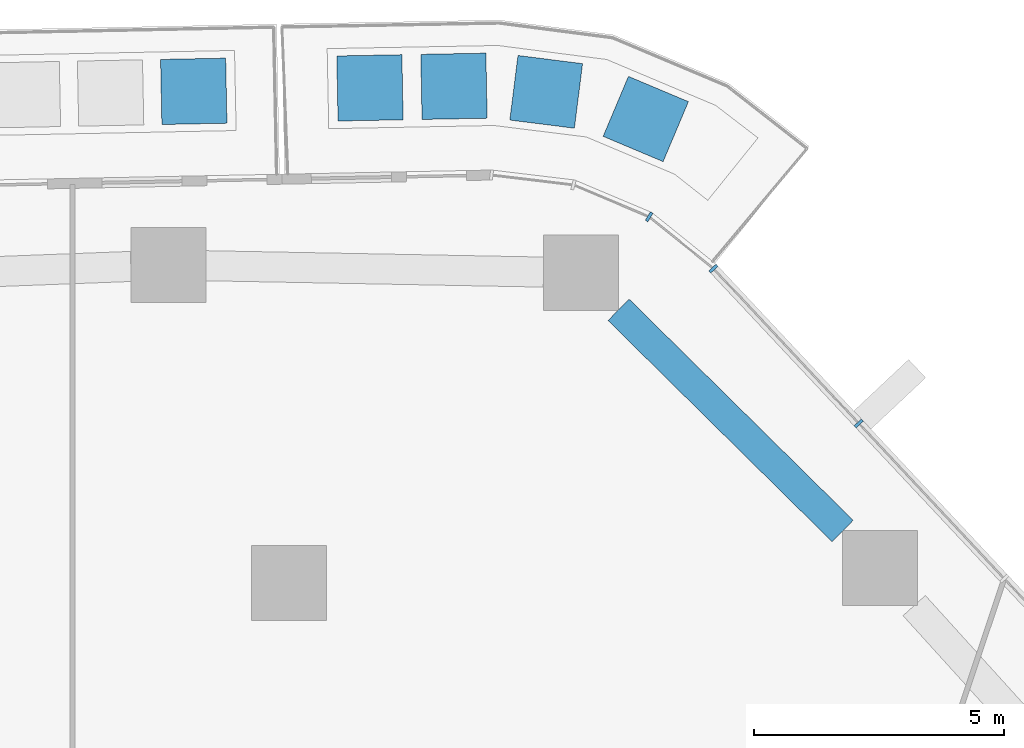
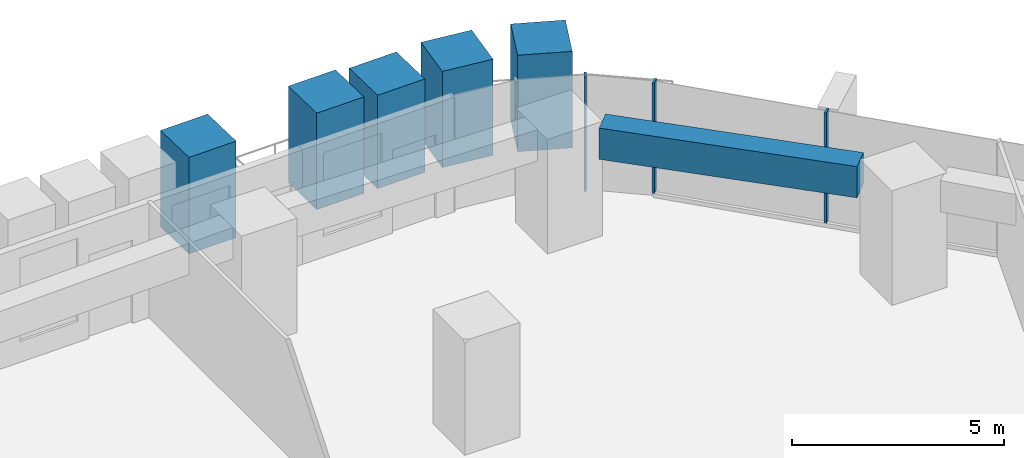
# One storey, part 9 of 24: 8 members, 1 beam, 2 elements without a shape of their own.
"""IFC4 building model written with IfcOpenShell, lengths in metres."""

from ifc_helpers import new_model, si_unit, direction, frame, origin, origin_2d, place, context, subcontext, project, spatial, rectangle, extrude, material, layer, layer_set, material_profile, profile_set, type_object, element, aggregate, save


model = new_model("IFC4")

# Units and contexts
model_context = context("Model", 3, precision=1e-05, world=origin(), true_north=direction((0.0, 1.0)))
body_context = subcontext(model_context, "Body", "Model", "MODEL_VIEW")
ifc_project = project(units=[si_unit("LENGTHUNIT", "METRE"), si_unit("AREAUNIT", "SQUARE_METRE"), si_unit("VOLUMEUNIT", "CUBIC_METRE"), si_unit("PLANEANGLEUNIT", "RADIAN"), si_unit("MASSUNIT", "GRAM", prefix="KILO")], contexts=[model_context])

# Site, building, storey
site_placement = place(None, origin())
site = spatial("IfcSite", under=ifc_project, at=site_placement, CompositionType="ELEMENT")
building_placement = place(site_placement, origin())
building = spatial("IfcBuilding", under=site, at=building_placement, Name="Dongbaek Canopy Tower", CompositionType="ELEMENT")
storey_placement = place(building_placement, frame((0.0, 0.0, 47.699951171875)))
storey = spatial("IfcBuildingStorey", under=building, at=storey_placement, Name="L07", CompositionType="ELEMENT", Elevation=47.699951171875)

# Curtain wall, members
ifc_material_1 = material(Name="Aluminium 6063-T6 pale anodised", Category="aluminium")
ifc_layer = layer(ifc_material_1, 0.199951171875)
ifc_layer_set = layer_set([ifc_layer], Name="CW-1 unitised tower curtain wall")
curtain_wall_type = type_object("IfcCurtainWallType", Name="CW-1 unitised tower curtain wall", PredefinedType="NOTDEFINED", material=ifc_layer_set)
curtain_wall_1_placement = place(storey_placement, origin())
curtain_wall_1 = element("IfcCurtainWall", 1, at=curtain_wall_1_placement, inside=storey, type_object=curtain_wall_type, Name="CW-1 curtain wall F0.1", PredefinedType="NOTDEFINED")
ifc_material_2 = material(Name="Aluminium 6063-T6 pale anodised", Category="aluminium")
ifc_material_profile_1 = material_profile(ifc_material_2, rectangle(XDim=0.199951171875, YDim=0.06005859375, at=origin_2d()), Name="CW-1 mullion 60 x 200")
ifc_profile_set_1 = profile_set([ifc_material_profile_1], Name="Aluminium 6063-T6 pale anodised")
member_type_1 = type_object("IfcMemberType", Name="CW-1 mullion 60 x 200", PredefinedType="MULLION", material=ifc_profile_set_1)
member_1_placement = place(storey_placement, frame((20.376708984375, 30.1845703125, 0.1201171875), z_axis=(0.0, 0.0, 1.0), x_axis=(0.729369243815, 0.684120242484, 0.0)))
member_1 = element("IfcMember", 2, at=member_1_placement, type_object=member_type_1, Name="CW-1 mullion F0.1.7", PredefinedType="MULLION", context=body_context, shape_type="SweptSolid", body=[
    extrude(rectangle(XDim=0.199951171875, YDim=0.06005859375, at=origin_2d()), origin(), (0.0, 0.0, 1.0), 3.179931640625),
])
member_2_placement = place(storey_placement, frame((17.474609375, 33.278564453125, 0.1201171875), z_axis=(0.0, 0.0, 1.0), x_axis=(0.729369243815, 0.684120242484, 0.0)))
member_2 = element("IfcMember", 3, at=member_2_placement, type_object=member_type_1, Name="CW-1 mullion F0.1.8", PredefinedType="MULLION", context=body_context, shape_type="SweptSolid", body=[
    extrude(rectangle(XDim=0.199951171875, YDim=0.06005859375, at=origin_2d()), origin(), (0.0, 0.0, 1.0), 3.179931640625),
])
aggregate(curtain_wall_1, [member_1, member_2])

# Curtain wall, member
curtain_wall_2_placement = place(storey_placement, origin())
curtain_wall_2 = element("IfcCurtainWall", 4, at=curtain_wall_2_placement, inside=storey, type_object=curtain_wall_type, Name="CW-1 curtain wall K1.1", PredefinedType="NOTDEFINED")
member_3_placement = place(storey_placement, frame((16.19091796875, 34.312255859375, 0.0), z_axis=(0.0, 0.0, 1.0), x_axis=(0.512669109818, 0.858586270469, 0.0)))
member_3 = element("IfcMember", 5, at=member_3_placement, type_object=member_type_1, Name="CW-1 mullion K1.1.2", PredefinedType="MULLION", context=body_context, shape_type="SweptSolid", body=[
    extrude(rectangle(XDim=0.199951171875, YDim=0.06005859375, at=origin_2d()), origin(), (0.0, 0.0, 1.0), 3.300048828125),
])
aggregate(curtain_wall_2, [member_3])

# Beam
ifc_material_3 = material(Name="Concrete C80", Category="concrete")
ifc_material_profile_2 = material_profile(ifc_material_3, rectangle(XDim=0.60009765625, YDim=0.89990234375, at=origin_2d()), Name="RC EDGE BEAM 600x900 C80")
ifc_profile_set_2 = profile_set([ifc_material_profile_2], Name="Concrete C80")
beam_type = type_object("IfcBeamType", Name="RC EDGE BEAM 600x900 C80", PredefinedType="BEAM", material=ifc_profile_set_2)
beam_placement = place(storey_placement, frame((15.580078125, 32.453857421875, 2.85009765625), z_axis=(0.711712436236, -0.702470930435, 0.0), x_axis=(0.702470930435, 0.711712436236, 0.0)))
element("IfcBeam", 6, at=beam_placement, inside=storey, type_object=beam_type, Name="EDGEBEAM:L07:17", PredefinedType="BEAM", context=body_context, shape_type="SweptSolid", body=[
    extrude(rectangle(XDim=0.60009765625, YDim=0.89990234375, at=origin_2d()), origin(), (0.0, 0.0, 1.0), 6.287353515625),
])

# Members
ifc_material_4 = material(Name="Concrete C40/50 planter mass with planting", Category="concrete")
ifc_material_profile_3 = material_profile(ifc_material_4, rectangle(XDim=1.300048828125, YDim=1.300048828125, at=origin_2d()), Name="Terrace PLANTER shrub mass 1300 x 1300")
ifc_profile_set_3 = profile_set([ifc_material_profile_3], Name="Concrete C40/50 planter mass with planting")
member_type_2 = type_object("IfcMemberType", Name="Terrace PLANTER shrub mass 1300 x 1300", PredefinedType="USERDEFINED", material=ifc_profile_set_3)
for number, where, z_axis, x_axis, name in (
    (7, (7.095703125, 36.81787109375, 0.420166015625), (0.0, 0.0, 1.0), (-0.019925757664, 0.999801462382, 0.0), "Planter shrubs L07 1.1"),
    (8, (16.123291015625, 36.26513671875, 0.420166015625), (0.0, 0.0, 1.0), (0.388254005988, 0.921552400482, 0.0), "Planter shrubs L07 5.1"),
):
    element("IfcMember", number, at=place(storey_placement, frame(where, z_axis=z_axis, x_axis=x_axis)), inside=storey, type_object=member_type_2, Name=name, ObjectType="PLANTER", PredefinedType="USERDEFINED", context=body_context, shape_type="SweptSolid", body=[
        extrude(rectangle(XDim=1.300048828125, YDim=1.300048828125, at=origin_2d()), origin(), (0.0, 0.0, 1.0), 2.77978515625),
    ])
member_4_placement = place(storey_placement, frame((14.13427734375, 36.807373046875, 0.420166015625), z_axis=(0.0, 0.0, 1.0), x_axis=(0.125387731324, 0.992107815126, 0.0)))
element("IfcMember", 9, at=member_4_placement, inside=storey, type_object=member_type_2, Name="Planter shrubs L07 5.2", ObjectType="PLANTER", PredefinedType="USERDEFINED", context=body_context, shape_type="SweptSolid", body=[
    extrude(rectangle(XDim=1.300048828125, YDim=1.300048828125, at=origin_2d()), origin(), (0.0, 0.0, 1.0), 2.769775390625),
])
member_5_placement = place(storey_placement, frame((12.29248046875, 36.91845703125, 0.420166015625), z_axis=(0.0, 0.0, 1.0), x_axis=(-0.018700559201, 0.999825129253, 0.0)))
element("IfcMember", 10, at=member_5_placement, inside=storey, type_object=member_type_2, Name="Planter shrubs L07 5.3", ObjectType="PLANTER", PredefinedType="USERDEFINED", context=body_context, shape_type="SweptSolid", body=[
    extrude(rectangle(XDim=1.300048828125, YDim=1.300048828125, at=origin_2d()), origin(), (0.0, 0.0, 1.0), 2.68994140625),
])
member_6_placement = place(storey_placement, frame((10.61474609375, 36.886962890625, 0.420166015625), z_axis=(0.0, 0.0, 1.0), x_axis=(-0.018700559201, 0.999825129253, 0.0)))
element("IfcMember", 11, at=member_6_placement, inside=storey, type_object=member_type_2, Name="Planter shrubs L07 5.4", ObjectType="PLANTER", PredefinedType="USERDEFINED", context=body_context, shape_type="SweptSolid", body=[
    extrude(rectangle(XDim=1.300048828125, YDim=1.300048828125, at=origin_2d()), origin(), (0.0, 0.0, 1.0), 2.77978515625),
])

save(model, "model.ifc")
